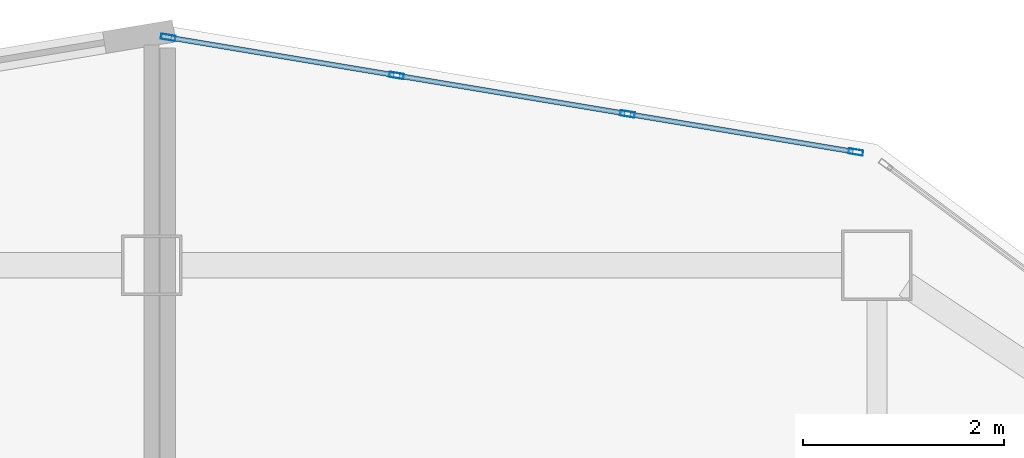
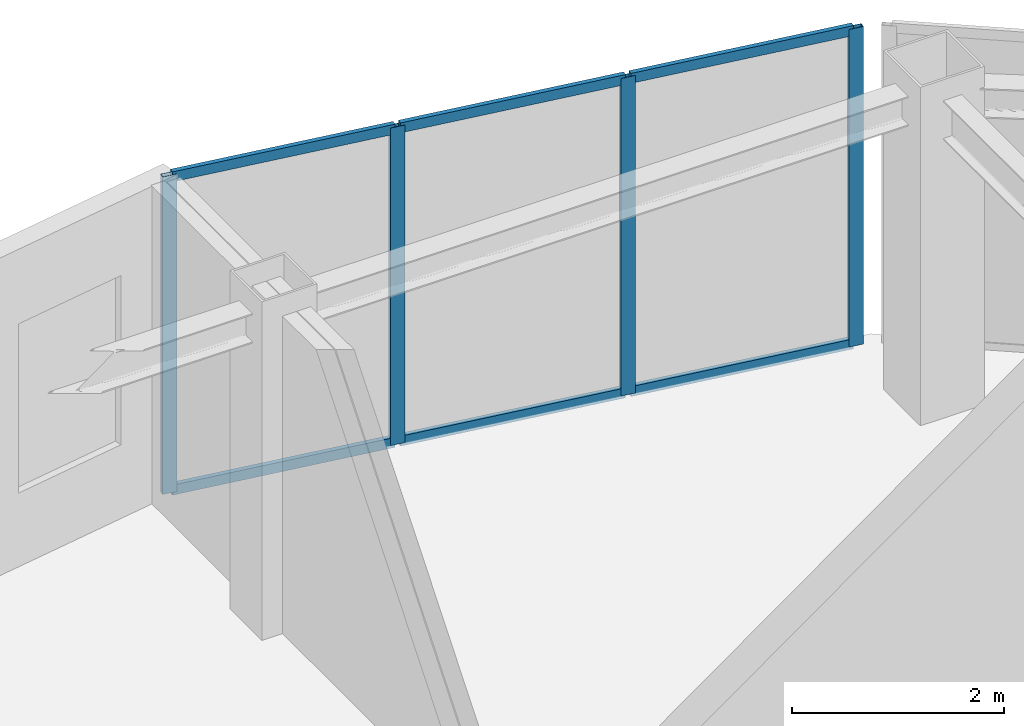
# One storey, part 3 of 8: 10 members, 1 element without a shape of its own.
"""IFC4 building model written with IfcOpenShell, lengths in metres."""

import ifcopenshell
import ifcopenshell.guid

model = None  # the IFC model being written
_history = None  # IfcOwnerHistory: only IFC2X3 demands one
_inside = {}  # id of a spatial element -> (the spatial element, [elements in it])
_under = {}  # id of a project, library or spatial element -> (it, [spatial elements below it])
_declared = {}  # id of a project -> (the project, [libraries it declares])
_typed = {}  # id of a type object -> (the type object, [elements of that type])
_made_of = {}  # id of a material, layer set ... -> (it, [elements and type objects made of it])


def new_model(schema):
    """Start an empty IFC model of exactly this schema.

    Asked for "IFC4X3", IfcOpenShell would pick the latest addendum, in which some entities
    have other attributes; the version numbers below select the first issue.
    IFC2X3 requires an IfcOwnerHistory on every rooted entity: one is made here for all.
    """
    global model, _history
    if schema == "IFC4X3":
        model = ifcopenshell.file(schema_version=(4, 3, 0, 0))
    else:
        model = ifcopenshell.file(schema=schema)
    _inside.clear()
    _under.clear()
    _declared.clear()
    _typed.clear()
    _made_of.clear()
    _history = None
    if model.schema == "IFC2X3":
        org = make("IfcOrganization", Name="unknown")
        user = make(
            "IfcPersonAndOrganization",
            ThePerson=make("IfcPerson", FamilyName="unknown"),
            TheOrganization=org,
        )
        app = make(
            "IfcApplication",
            ApplicationDeveloper=org,
            Version="unknown",
            ApplicationFullName="unknown",
            ApplicationIdentifier="unknown",
        )
        _history = make(
            "IfcOwnerHistory",
            OwningUser=user,
            OwningApplication=app,
            ChangeAction="ADDED",
            CreationDate=0,
        )
    return model


def make(cls, **values):
    """One entity of the class cls with the attributes given. An attribute that is None is left unset."""
    return model.create_entity(
        cls, **{name: value for name, value in values.items() if value is not None}
    )


def rooted(cls, **values):
    """An entity with a GlobalId (a new one), such as an element, a storey or a relation."""
    return make(cls, GlobalId=ifcopenshell.guid.new(), OwnerHistory=_history, **values)


def si_unit(unit_type, name, prefix=None):
    """IfcSIUnit, for example si_unit("LENGTHUNIT", "METRE", prefix="MILLI")."""
    return make("IfcSIUnit", UnitType=unit_type, Prefix=prefix, Name=name)


def assignment(units):
    """IfcUnitAssignment: the units of a project."""
    return None if units is None else make("IfcUnitAssignment", Units=units)


def point(xyz):
    """IfcCartesianPoint."""
    return None if xyz is None else make("IfcCartesianPoint", Coordinates=xyz)


def direction(xyz):
    """IfcDirection."""
    return None if xyz is None else make("IfcDirection", DirectionRatios=xyz)


def frame(location, z_axis=None, x_axis=None):
    """IfcAxis2Placement3D, a coordinate frame: its origin and axes. An axis left out is left unset."""
    return make(
        "IfcAxis2Placement3D",
        Location=point(location),
        Axis=direction(z_axis),
        RefDirection=direction(x_axis),
    )


def frame_2d(location, x_axis=None):
    """IfcAxis2Placement2D, a coordinate frame in the plane: its origin and x axis."""
    return make(
        "IfcAxis2Placement2D", Location=point(location), RefDirection=direction(x_axis)
    )


def origin():
    """The frame at (0, 0, 0) with its axes left unset."""
    return frame((0.0, 0.0, 0.0))


def origin_2d():
    """The frame at (0, 0) in the plane with its x axis left unset."""
    return frame_2d((0.0, 0.0))


def place(relative_to, where):
    """IfcLocalPlacement: puts the frame where relative to a parent placement (None: the world)."""
    return make(
        "IfcLocalPlacement", PlacementRelTo=relative_to, RelativePlacement=where
    )


def context(
    kind, dimensions, precision=None, world=None, true_north=None, identifier=None
):
    """IfcGeometricRepresentationContext, for example the 3D "Model" context."""
    return make(
        "IfcGeometricRepresentationContext",
        ContextIdentifier=identifier,
        ContextType=kind,
        CoordinateSpaceDimension=dimensions,
        Precision=precision,
        WorldCoordinateSystem=world,
        TrueNorth=true_north,
    )


def subcontext(parent, identifier, kind, view, scale=None):
    """IfcGeometricRepresentationSubContext, for example "Body" below "Model"."""
    return make(
        "IfcGeometricRepresentationSubContext",
        ContextIdentifier=identifier,
        ContextType=kind,
        ParentContext=parent,
        TargetScale=scale,
        TargetView=view,
    )


def project(units=None, contexts=None):
    """IfcProject with its units and contexts."""
    return rooted(
        "IfcProject",
        Name="project",
        RepresentationContexts=contexts,
        UnitsInContext=assignment(units),
    )


def spatial(cls, under=None, at=None, **own):
    """A site, building, storey or space (cls), placed at a placement, below another one or the project."""
    s = rooted(cls, ObjectPlacement=at, **own)
    if under is not None:
        _under.setdefault(under.id(), (under, []))[1].append(s)
    return s


def profile(cls, at=None, kind="AREA", **sizes):
    """A parametric profile (cls). Its sizes go by their IFC names, for example OverallWidth=200.0."""
    return make(cls, ProfileType=kind, Position=at, **sizes)


def hollow_rectangle(**sizes):
    """IfcRectangleHollowProfileDef."""
    return profile("IfcRectangleHollowProfileDef", **sizes)


def extrude(swept, where, along, depth):
    """IfcExtrudedAreaSolid: the profile swept, set in the frame where, extruded along a direction by depth."""
    return make(
        "IfcExtrudedAreaSolid",
        SweptArea=swept,
        Position=where,
        ExtrudedDirection=direction(along),
        Depth=depth,
    )


def shape(context_of_items, identifier, shape_type, items):
    """IfcShapeRepresentation: the items that make up one representation, for example the "Body"."""
    return make(
        "IfcShapeRepresentation",
        ContextOfItems=context_of_items,
        RepresentationIdentifier=identifier,
        RepresentationType=shape_type,
        Items=items,
    )


def material(Name=None, Category=None):
    """IfcMaterial."""
    return make("IfcMaterial", Name=Name, Category=Category)


def layer(
    of_material, thickness, ventilated=None, Name=None, Category=None, Priority=None
):
    """IfcMaterialLayer: one layer of a wall or slab, of a material (None: an air gap)."""
    return make(
        "IfcMaterialLayer",
        Material=of_material,
        LayerThickness=thickness,
        IsVentilated=ventilated,
        Name=Name,
        Category=Category,
        Priority=Priority,
    )


def layer_set(layers, Name=None):
    """IfcMaterialLayerSet."""
    return make("IfcMaterialLayerSet", MaterialLayers=layers, LayerSetName=Name)


def material_profile(
    of_material, cross_section, Name=None, Category=None, Priority=None
):
    """IfcMaterialProfile: a cross section and its material."""
    return make(
        "IfcMaterialProfile",
        Name=Name,
        Material=of_material,
        Profile=cross_section,
        Priority=Priority,
        Category=Category,
    )


def profile_set(profiles, Name=None, composite=None):
    """IfcMaterialProfileSet."""
    return make(
        "IfcMaterialProfileSet",
        Name=Name,
        MaterialProfiles=profiles,
        CompositeProfile=composite,
    )


def made_of(thing, what):
    """Note that an element or type object is made of a material, layer set ...; save() writes the relation."""
    if what is not None:
        _made_of.setdefault(what.id(), (what, []))[1].append(thing)
    return thing


def type_object(cls, material=None, **own):
    """A type object (cls), such as IfcWallType, which elements share."""
    return made_of(rooted(cls, **own), material)


def element(
    cls,
    number,
    at=None,
    inside=None,
    cuts=None,
    type_object=None,
    material=None,
    context=None,
    identifier="Body",
    shape_type=None,
    held_by="IfcProductDefinitionShape",
    body=None,
    shapes=None,
    **own,
):
    """One element of the class cls, such as IfcWall. Its Tag is "e" and its number.

    at: its placement. inside: the storey or other place that contains it. cuts: it is an
    opening in that element (IfcRelVoidsElement). A single representation is given by context,
    identifier, shape_type and body (its items); several are given by shapes. held_by: the class
    of the entity that holds the representations. save() writes the other relations.
    """
    e = rooted(cls, Tag="e%d" % number, ObjectPlacement=at, **own)
    if body is not None:
        shapes = [shape(context, identifier, shape_type, body)]
    if shapes is not None:
        e.Representation = make(held_by, Representations=shapes)
    if inside is not None:
        _inside.setdefault(inside.id(), (inside, []))[1].append(e)
    if cuts is not None:
        rooted(
            "IfcRelVoidsElement", RelatingBuildingElement=cuts, RelatedOpeningElement=e
        )
    if type_object is not None:
        _typed.setdefault(type_object.id(), (type_object, []))[1].append(e)
    return made_of(e, material)


def aggregate(whole, parts):
    """IfcRelAggregates: a whole, such as a stair, and the parts it consists of."""
    return rooted("IfcRelAggregates", RelatingObject=whole, RelatedObjects=parts)


def save(model, path):
    """Write the relations noted so far, then the file.

    IfcRelAggregates (storeys below a building ...), IfcRelContainedInSpatialStructure (elements
    in a storey), IfcRelDefinesByType, IfcRelAssociatesMaterial and IfcRelDeclares: one each for
    every whole, place, type object, material and project.
    """
    for whole, parts in _under.values():
        aggregate(whole, parts)
    for where, things in _inside.values():
        rooted(
            "IfcRelContainedInSpatialStructure",
            RelatedElements=things,
            RelatingStructure=where,
        )
    for kind, things in _typed.values():
        rooted("IfcRelDefinesByType", RelatedObjects=things, RelatingType=kind)
    for what, things in _made_of.values():
        rooted("IfcRelAssociatesMaterial", RelatedObjects=things, RelatingMaterial=what)
    for by, libraries in _declared.values():
        rooted("IfcRelDeclares", RelatingContext=by, RelatedDefinitions=libraries)
    model.write(path)


model = new_model("IFC4")

# Units and contexts
model_context = context("Model", 3, precision=1e-05, world=origin(), true_north=direction((0.0, 1.0)))
body_context = subcontext(model_context, "Body", "Model", "MODEL_VIEW")
ifc_project = project(units=[si_unit("LENGTHUNIT", "METRE"), si_unit("AREAUNIT", "SQUARE_METRE"), si_unit("VOLUMEUNIT", "CUBIC_METRE"), si_unit("PLANEANGLEUNIT", "RADIAN"), si_unit("MASSUNIT", "GRAM", prefix="KILO")], contexts=[model_context])

# Site, building, storey
site_placement = place(None, origin())
site = spatial("IfcSite", under=ifc_project, at=site_placement, CompositionType="ELEMENT")
building_placement = place(site_placement, origin())
building = spatial("IfcBuilding", under=site, at=building_placement, Name="Haolan Belvedere Tower", CompositionType="ELEMENT")
storey_placement = place(building_placement, frame((0.0, 0.0, 309.5)))
storey = spatial("IfcBuildingStorey", under=building, at=storey_placement, Name="L78", CompositionType="ELEMENT", Elevation=309.5)

# Curtain wall, members
ifc_material_1 = material(Name="Anodised champagne-silver aluminium 6063-T6 and Low-E glass", Category="aluminium")
ifc_layer = layer(ifc_material_1, 0.14501953125, Name="Anodised champagne-silver aluminium 6063-T6 and Low-E glass")
ifc_layer_set = layer_set([ifc_layer], Name="Anodised champagne-silver aluminium 6063-T6 and Low-E glass")
curtain_wall_type = type_object("IfcCurtainWallType", Name="CW-SYS-05", PredefinedType="NOTDEFINED", material=ifc_layer_set)
curtain_wall_placement = place(storey_placement, origin())
curtain_wall = element("IfcCurtainWall", 1, at=curtain_wall_placement, inside=storey, type_object=curtain_wall_type, Name="L78 CW-SYS-05 ribbon curtain wall 9.1", PredefinedType="NOTDEFINED")
ifc_material_2 = material(Name="Anodised aluminium 6063-T6", Category="aluminium")
ifc_material_profile_1 = material_profile(ifc_material_2, hollow_rectangle(XDim=0.053955078125, YDim=0.14501953125, WallThickness=0.00390625, at=origin_2d()), Name="Anodised aluminium 6063-T6")
ifc_profile_set_1 = profile_set([ifc_material_profile_1], Name="Anodised aluminium 6063-T6")
member_type_1 = type_object("IfcMemberType", Name="CW-SYS-05-MUL", PredefinedType="MULLION", material=ifc_profile_set_1)
member_1_placement = place(storey_placement, frame((45.390869140625, 51.5234375, 0.0), z_axis=(0.0, 0.0, 1.0), x_axis=(-0.164405962825, -0.98639276122, 0.0)))
member_1 = element("IfcMember", 2, at=member_1_placement, type_object=member_type_1, Name="CW-05 mullion 1", PredefinedType="MULLION", context=body_context, shape_type="SweptSolid", body=[
    extrude(hollow_rectangle(XDim=0.053955078125, YDim=0.14501953125, WallThickness=0.00390625, at=origin_2d()), origin(), (0.0, 0.0, 1.0), 3.659912109375),
])
member_2_placement = place(storey_placement, frame((43.124267578125, 51.901123046875, 0.0), z_axis=(0.0, 0.0, 1.0), x_axis=(-0.164405962825, -0.98639276122, 0.0)))
member_2 = element("IfcMember", 3, at=member_2_placement, type_object=member_type_1, Name="CW-05 mullion 2", PredefinedType="MULLION", context=body_context, shape_type="SweptSolid", body=[
    extrude(hollow_rectangle(XDim=0.053955078125, YDim=0.14501953125, WallThickness=0.00390625, at=origin_2d()), origin(), (0.0, 0.0, 1.0), 3.659912109375),
])
member_3_placement = place(storey_placement, frame((40.831298828125, 52.283203125, 0.0), z_axis=(0.0, 0.0, 1.0), x_axis=(-0.164405962825, -0.98639276122, 0.0)))
member_3 = element("IfcMember", 4, at=member_3_placement, type_object=member_type_1, Name="CW-05 mullion 3", PredefinedType="MULLION", context=body_context, shape_type="SweptSolid", body=[
    extrude(hollow_rectangle(XDim=0.053955078125, YDim=0.14501953125, WallThickness=0.00390625, at=origin_2d()), origin(), (0.0, 0.0, 1.0), 3.659912109375),
])
member_4_placement = place(storey_placement, frame((38.564697265625, 52.6611328125, 0.0), z_axis=(0.0, 0.0, 1.0), x_axis=(-0.164405962825, -0.98639276122, 0.0)))
member_4 = element("IfcMember", 5, at=member_4_placement, type_object=member_type_1, Name="CW-05 mullion 4", PredefinedType="MULLION", context=body_context, shape_type="SweptSolid", body=[
    extrude(hollow_rectangle(XDim=0.053955078125, YDim=0.14501953125, WallThickness=0.00390625, at=origin_2d()), origin(), (0.0, 0.0, 1.0), 3.659912109375),
])
ifc_material_profile_2 = material_profile(ifc_material_2, hollow_rectangle(XDim=0.050048828125, YDim=0.114990234375, WallThickness=0.00390625, at=origin_2d()), Name="Anodised aluminium 6063-T6")
ifc_profile_set_2 = profile_set([ifc_material_profile_2], Name="Anodised aluminium 6063-T6")
member_type_2 = type_object("IfcMemberType", Name="CW-SYS-05-TRN", PredefinedType="USERDEFINED", material=ifc_profile_set_2)
member_5_placement = place(storey_placement, frame((45.364013671875, 51.52783203125, 0.02490234375), z_axis=(-0.986390982779, 0.164416632651, 0.0), x_axis=(-0.164416632651, -0.986390982779, 0.0)))
member_5 = element("IfcMember", 6, at=member_5_placement, type_object=member_type_2, Name="CW-05 transom 1.1", ObjectType="TRANSOM", PredefinedType="USERDEFINED", context=body_context, shape_type="SweptSolid", body=[
    extrude(hollow_rectangle(XDim=0.050048828125, YDim=0.114990234375, WallThickness=0.00390625, at=origin_2d()), origin(), (0.0, 0.0, 1.0), 2.24365234375),
])
member_6_placement = place(storey_placement, frame((45.364013671875, 51.52783203125, 3.635009765625), z_axis=(-0.986390982779, 0.164416632651, 0.0), x_axis=(-0.164416632651, -0.986390982779, 0.0)))
member_6 = element("IfcMember", 7, at=member_6_placement, type_object=member_type_2, Name="CW-05 transom 1.2", ObjectType="TRANSOM", PredefinedType="USERDEFINED", context=body_context, shape_type="SweptSolid", body=[
    extrude(hollow_rectangle(XDim=0.050048828125, YDim=0.114990234375, WallThickness=0.00390625, at=origin_2d()), origin(), (0.0, 0.0, 1.0), 2.24365234375),
])
member_7_placement = place(storey_placement, frame((43.09765625, 51.905517578125, 0.02490234375), z_axis=(-0.986393923832, 0.164398987305, 0.0), x_axis=(-0.164398987305, -0.986393923832, 0.0)))
member_7 = element("IfcMember", 8, at=member_7_placement, type_object=member_type_2, Name="CW-05 transom 2.1", ObjectType="TRANSOM", PredefinedType="USERDEFINED", context=body_context, shape_type="SweptSolid", body=[
    extrude(hollow_rectangle(XDim=0.050048828125, YDim=0.114990234375, WallThickness=0.00390625, at=origin_2d()), origin(), (0.0, 0.0, 1.0), 2.270751953125),
])
member_8_placement = place(storey_placement, frame((43.09765625, 51.905517578125, 3.635009765625), z_axis=(-0.986393923832, 0.164398987305, 0.0), x_axis=(-0.164398987305, -0.986393923832, 0.0)))
member_8 = element("IfcMember", 9, at=member_8_placement, type_object=member_type_2, Name="CW-05 transom 2.2", ObjectType="TRANSOM", PredefinedType="USERDEFINED", context=body_context, shape_type="SweptSolid", body=[
    extrude(hollow_rectangle(XDim=0.050048828125, YDim=0.114990234375, WallThickness=0.00390625, at=origin_2d()), origin(), (0.0, 0.0, 1.0), 2.270751953125),
])
member_9_placement = place(storey_placement, frame((40.8046875, 52.287841796875, 0.02490234375), z_axis=(-0.986393923832, 0.164398987305, 0.0), x_axis=(-0.164398987305, -0.986393923832, 0.0)))
member_9 = element("IfcMember", 10, at=member_9_placement, type_object=member_type_2, Name="CW-05 transom 3.1", ObjectType="TRANSOM", PredefinedType="USERDEFINED", context=body_context, shape_type="SweptSolid", body=[
    extrude(hollow_rectangle(XDim=0.050048828125, YDim=0.114990234375, WallThickness=0.00390625, at=origin_2d()), origin(), (0.0, 0.0, 1.0), 2.243896484375),
])
member_10_placement = place(storey_placement, frame((40.8046875, 52.287841796875, 3.635009765625), z_axis=(-0.986393923832, 0.164398987305, 0.0), x_axis=(-0.164398987305, -0.986393923832, 0.0)))
member_10 = element("IfcMember", 11, at=member_10_placement, type_object=member_type_2, Name="CW-05 transom 3.2", ObjectType="TRANSOM", PredefinedType="USERDEFINED", context=body_context, shape_type="SweptSolid", body=[
    extrude(hollow_rectangle(XDim=0.050048828125, YDim=0.114990234375, WallThickness=0.00390625, at=origin_2d()), origin(), (0.0, 0.0, 1.0), 2.243896484375),
])
aggregate(curtain_wall, [member_1, member_2, member_3, member_4, member_5, member_6, member_7, member_8, member_9, member_10])

save(model, "model.ifc")
